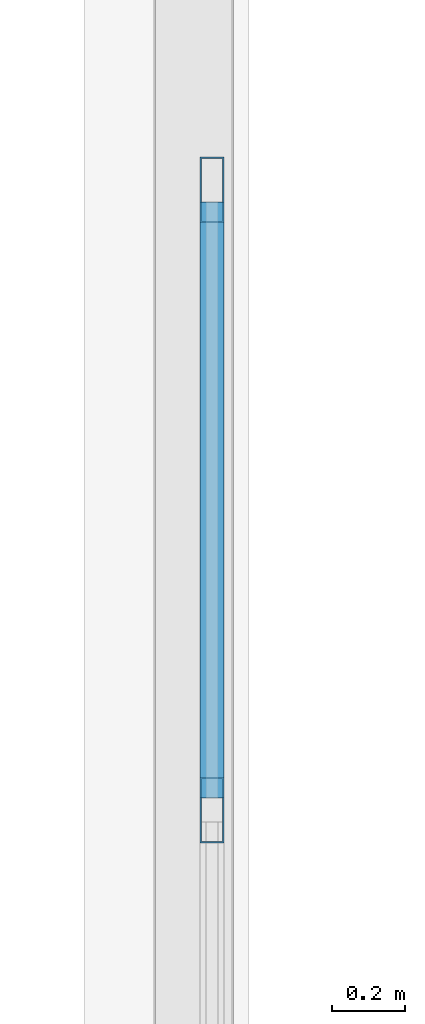
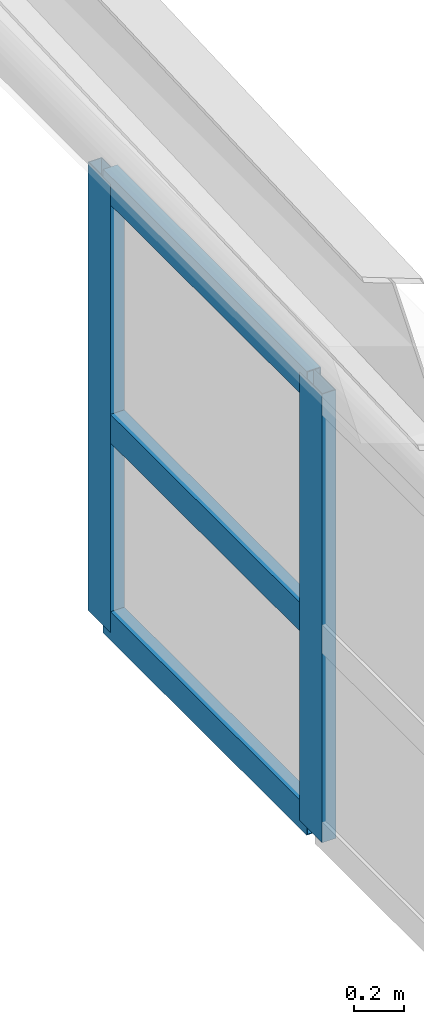
# One storey, part 13 of 128: 5 members, 1 element without a shape of its own.
"""IFC4 building model written with IfcOpenShell, lengths in metres."""

from ifc_helpers import new_model, si_unit, direction, frame, origin, origin_2d, place, context, subcontext, project, spatial, hollow_rectangle, extrude, material, layer, layer_set, material_profile, profile_set, type_object, element, aggregate, save


model = new_model("IFC4")

# Units and contexts
model_context = context("Model", 3, precision=1e-05, world=origin(), true_north=direction((0.0, 1.0)))
body_context = subcontext(model_context, "Body", "Model", "MODEL_VIEW")
ifc_project = project(units=[si_unit("LENGTHUNIT", "METRE"), si_unit("AREAUNIT", "SQUARE_METRE"), si_unit("VOLUMEUNIT", "CUBIC_METRE"), si_unit("PLANEANGLEUNIT", "RADIAN"), si_unit("MASSUNIT", "GRAM", prefix="KILO")], contexts=[model_context])

# Site, building, storey
site_placement = place(None, origin())
site = spatial("IfcSite", under=ifc_project, at=site_placement, CompositionType="ELEMENT")
building_placement = place(site_placement, origin())
building = spatial("IfcBuilding", under=site, at=building_placement, Name="Keldmere Railside Commons", CompositionType="ELEMENT")
storey_placement = place(building_placement, frame((0.0, 0.0, 4.159912109375)))
storey = spatial("IfcBuildingStorey", under=building, at=storey_placement, Name="L01", CompositionType="ELEMENT", Elevation=4.159912109375)

# Curtain wall, members
ifc_material = material(Name="Thermally Broken Aluminium", Category="aluminium")
ifc_layer = layer(ifc_material, 0.159912109375, Name="Community Hall Side Clerestory CW 5200x2200")
ifc_layer_set = layer_set([ifc_layer], Name="Thermally Broken Aluminium")
curtain_wall_type = type_object("IfcCurtainWallType", Name="Community Hall Side Clerestory CW 5200x2200", PredefinedType="NOTDEFINED", material=ifc_layer_set)
curtain_wall_placement = place(storey_placement, origin())
curtain_wall = element("IfcCurtainWall", 1, at=curtain_wall_placement, inside=storey, type_object=curtain_wall_type, Name="CW-06 CW-L01-205", PredefinedType="NOTDEFINED")
ifc_material_profile_1 = material_profile(ifc_material, hollow_rectangle(XDim=0.06494140625, YDim=0.179931640625, WallThickness=0.00390625, at=origin_2d()), Name="ALU-MULL-65x180")
ifc_profile_set_1 = profile_set([ifc_material_profile_1], Name="Thermally Broken Aluminium")
member_type_1 = type_object("IfcMemberType", Name="Civic Tall Curtain Wall Mullion 65x180", PredefinedType="MULLION", material=ifc_profile_set_1)
member_1_placement = place(storey_placement, frame((64.050048828125, 24.666748046875, 0.090087890625), z_axis=(0.0, 0.0, 1.0), x_axis=(-1.0, 0.0, 0.0)))
member_1 = element("IfcMember", 2, at=member_1_placement, type_object=member_type_1, Name="CW-06 mullion 3", PredefinedType="MULLION", context=body_context, shape_type="SweptSolid", body=[
    extrude(hollow_rectangle(XDim=0.06494140625, YDim=0.179931640625, WallThickness=0.00390625, at=origin_2d()), origin(), (0.0, 0.0, 1.0), 2.199951171875),
])
member_2_placement = place(storey_placement, frame((64.050048828125, 26.367431640625, 0.090087890625), z_axis=(0.0, 0.0, 1.0), x_axis=(-1.0, 0.0, 0.0)))
member_2 = element("IfcMember", 3, at=member_2_placement, type_object=member_type_1, Name="CW-06 mullion 4", PredefinedType="MULLION", context=body_context, shape_type="SweptSolid", body=[
    extrude(hollow_rectangle(XDim=0.06494140625, YDim=0.179931640625, WallThickness=0.00390625, at=origin_2d()), origin(), (0.0, 0.0, 1.0), 2.199951171875),
])
ifc_material_profile_2 = material_profile(ifc_material, hollow_rectangle(XDim=0.06494140625, YDim=0.139892578125, WallThickness=0.00390625, at=origin_2d()), Name="ALU-TRAN-65x140")
ifc_profile_set_2 = profile_set([ifc_material_profile_2], Name="Thermally Broken Aluminium")
member_type_2 = type_object("IfcMemberType", Name="Civic Tall Curtain Wall Transom 65x140", PredefinedType="USERDEFINED", material=ifc_profile_set_2)
member_3_placement = place(storey_placement, frame((64.050048828125, 24.69921875, 0.12255859375), z_axis=(0.0, 1.0, 0.0), x_axis=(-1.0, 0.0, 0.0)))
member_3 = element("IfcMember", 4, at=member_3_placement, type_object=member_type_2, Name="CW-06 transom 3.1", ObjectType="TRANSOM", PredefinedType="USERDEFINED", context=body_context, shape_type="SweptSolid", body=[
    extrude(hollow_rectangle(XDim=0.06494140625, YDim=0.139892578125, WallThickness=0.00390625, at=origin_2d()), origin(), (0.0, 0.0, 1.0), 1.6357421875),
])
member_4_placement = place(storey_placement, frame((64.050048828125, 24.69921875, 1.090087890625), z_axis=(0.0, 1.0, 0.0), x_axis=(-1.0, 0.0, 0.0)))
member_4 = element("IfcMember", 5, at=member_4_placement, type_object=member_type_2, Name="CW-06 transom 3.2", ObjectType="TRANSOM", PredefinedType="USERDEFINED", context=body_context, shape_type="SweptSolid", body=[
    extrude(hollow_rectangle(XDim=0.06494140625, YDim=0.139892578125, WallThickness=0.00390625, at=origin_2d()), origin(), (0.0, 0.0, 1.0), 1.6357421875),
])
member_5_placement = place(storey_placement, frame((64.050048828125, 24.69921875, 2.257568359375), z_axis=(0.0, 1.0, 0.0), x_axis=(-1.0, 0.0, 0.0)))
member_5 = element("IfcMember", 6, at=member_5_placement, type_object=member_type_2, Name="CW-06 transom 3.3", ObjectType="TRANSOM", PredefinedType="USERDEFINED", context=body_context, shape_type="SweptSolid", body=[
    extrude(hollow_rectangle(XDim=0.06494140625, YDim=0.139892578125, WallThickness=0.00390625, at=origin_2d()), origin(), (0.0, 0.0, 1.0), 1.6357421875),
])
aggregate(curtain_wall, [member_1, member_2, member_3, member_4, member_5])

save(model, "model.ifc")
